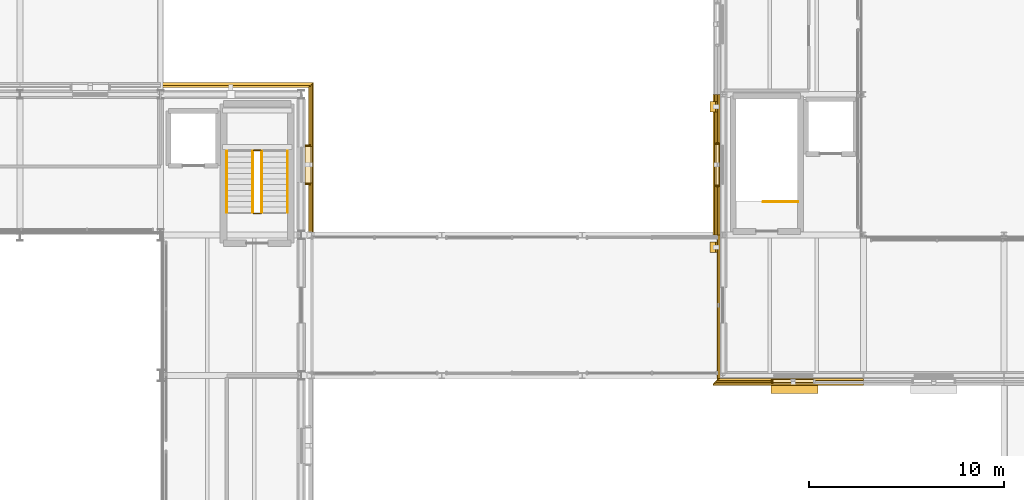
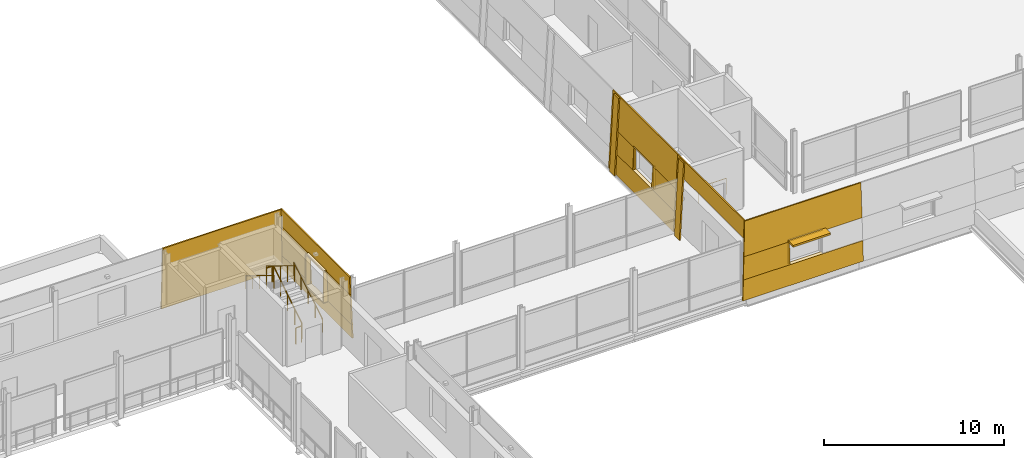
# One storey, part 107 of 115: 26 coverings, 7 railings, 1 shading device.
"""IFC4 building model written with IfcOpenShell, lengths in metres."""

import ifcopenshell
import ifcopenshell.guid

model = None  # the IFC model being written
_history = None  # IfcOwnerHistory: only IFC2X3 demands one
_inside = {}  # id of a spatial element -> (the spatial element, [elements in it])
_under = {}  # id of a project, library or spatial element -> (it, [spatial elements below it])
_declared = {}  # id of a project -> (the project, [libraries it declares])
_typed = {}  # id of a type object -> (the type object, [elements of that type])
_made_of = {}  # id of a material, layer set ... -> (it, [elements and type objects made of it])


def new_model(schema):
    """Start an empty IFC model of exactly this schema.

    Asked for "IFC4X3", IfcOpenShell would pick the latest addendum, in which some entities
    have other attributes; the version numbers below select the first issue.
    IFC2X3 requires an IfcOwnerHistory on every rooted entity: one is made here for all.
    """
    global model, _history
    if schema == "IFC4X3":
        model = ifcopenshell.file(schema_version=(4, 3, 0, 0))
    else:
        model = ifcopenshell.file(schema=schema)
    _inside.clear()
    _under.clear()
    _declared.clear()
    _typed.clear()
    _made_of.clear()
    _history = None
    if model.schema == "IFC2X3":
        org = make("IfcOrganization", Name="unknown")
        user = make(
            "IfcPersonAndOrganization",
            ThePerson=make("IfcPerson", FamilyName="unknown"),
            TheOrganization=org,
        )
        app = make(
            "IfcApplication",
            ApplicationDeveloper=org,
            Version="unknown",
            ApplicationFullName="unknown",
            ApplicationIdentifier="unknown",
        )
        _history = make(
            "IfcOwnerHistory",
            OwningUser=user,
            OwningApplication=app,
            ChangeAction="ADDED",
            CreationDate=0,
        )
    return model


def make(cls, **values):
    """One entity of the class cls with the attributes given. An attribute that is None is left unset."""
    return model.create_entity(
        cls, **{name: value for name, value in values.items() if value is not None}
    )


def rooted(cls, **values):
    """An entity with a GlobalId (a new one), such as an element, a storey or a relation."""
    return make(cls, GlobalId=ifcopenshell.guid.new(), OwnerHistory=_history, **values)


def si_unit(unit_type, name, prefix=None):
    """IfcSIUnit, for example si_unit("LENGTHUNIT", "METRE", prefix="MILLI")."""
    return make("IfcSIUnit", UnitType=unit_type, Prefix=prefix, Name=name)


def assignment(units):
    """IfcUnitAssignment: the units of a project."""
    return None if units is None else make("IfcUnitAssignment", Units=units)


def point(xyz):
    """IfcCartesianPoint."""
    return None if xyz is None else make("IfcCartesianPoint", Coordinates=xyz)


def direction(xyz):
    """IfcDirection."""
    return None if xyz is None else make("IfcDirection", DirectionRatios=xyz)


def frame(location, z_axis=None, x_axis=None):
    """IfcAxis2Placement3D, a coordinate frame: its origin and axes. An axis left out is left unset."""
    return make(
        "IfcAxis2Placement3D",
        Location=point(location),
        Axis=direction(z_axis),
        RefDirection=direction(x_axis),
    )


def frame_2d(location, x_axis=None):
    """IfcAxis2Placement2D, a coordinate frame in the plane: its origin and x axis."""
    return make(
        "IfcAxis2Placement2D", Location=point(location), RefDirection=direction(x_axis)
    )


def origin():
    """The frame at (0, 0, 0) with its axes left unset."""
    return frame((0.0, 0.0, 0.0))


def origin_2d():
    """The frame at (0, 0) in the plane with its x axis left unset."""
    return frame_2d((0.0, 0.0))


def place(relative_to, where):
    """IfcLocalPlacement: puts the frame where relative to a parent placement (None: the world)."""
    return make(
        "IfcLocalPlacement", PlacementRelTo=relative_to, RelativePlacement=where
    )


def context(
    kind, dimensions, precision=None, world=None, true_north=None, identifier=None
):
    """IfcGeometricRepresentationContext, for example the 3D "Model" context."""
    return make(
        "IfcGeometricRepresentationContext",
        ContextIdentifier=identifier,
        ContextType=kind,
        CoordinateSpaceDimension=dimensions,
        Precision=precision,
        WorldCoordinateSystem=world,
        TrueNorth=true_north,
    )


def subcontext(parent, identifier, kind, view, scale=None):
    """IfcGeometricRepresentationSubContext, for example "Body" below "Model"."""
    return make(
        "IfcGeometricRepresentationSubContext",
        ContextIdentifier=identifier,
        ContextType=kind,
        ParentContext=parent,
        TargetScale=scale,
        TargetView=view,
    )


def project(units=None, contexts=None):
    """IfcProject with its units and contexts."""
    return rooted(
        "IfcProject",
        Name="project",
        RepresentationContexts=contexts,
        UnitsInContext=assignment(units),
    )


def spatial(cls, under=None, at=None, **own):
    """A site, building, storey or space (cls), placed at a placement, below another one or the project."""
    s = rooted(cls, ObjectPlacement=at, **own)
    if under is not None:
        _under.setdefault(under.id(), (under, []))[1].append(s)
    return s


def polyline(points):
    """IfcPolyline through the points."""
    return make("IfcPolyline", Points=[point(p) for p in points])


def profile(cls, at=None, kind="AREA", **sizes):
    """A parametric profile (cls). Its sizes go by their IFC names, for example OverallWidth=200.0."""
    return make(cls, ProfileType=kind, Position=at, **sizes)


def rectangle(**sizes):
    """IfcRectangleProfileDef."""
    return profile("IfcRectangleProfileDef", **sizes)


def circle(**sizes):
    """IfcCircleProfileDef."""
    return profile("IfcCircleProfileDef", **sizes)


def outline(outer, holes=None, kind="AREA"):
    """IfcArbitraryClosedProfileDef: a profile drawn as a closed curve; with holes, ...WithVoids."""
    if holes is None:
        return make("IfcArbitraryClosedProfileDef", ProfileType=kind, OuterCurve=outer)
    return make(
        "IfcArbitraryProfileDefWithVoids",
        ProfileType=kind,
        OuterCurve=outer,
        InnerCurves=holes,
    )


def extrude(swept, where, along, depth):
    """IfcExtrudedAreaSolid: the profile swept, set in the frame where, extruded along a direction by depth."""
    return make(
        "IfcExtrudedAreaSolid",
        SweptArea=swept,
        Position=where,
        ExtrudedDirection=direction(along),
        Depth=depth,
    )


def shape(context_of_items, identifier, shape_type, items):
    """IfcShapeRepresentation: the items that make up one representation, for example the "Body"."""
    return make(
        "IfcShapeRepresentation",
        ContextOfItems=context_of_items,
        RepresentationIdentifier=identifier,
        RepresentationType=shape_type,
        Items=items,
    )


def material(Name=None, Category=None):
    """IfcMaterial."""
    return make("IfcMaterial", Name=Name, Category=Category)


def layer(
    of_material, thickness, ventilated=None, Name=None, Category=None, Priority=None
):
    """IfcMaterialLayer: one layer of a wall or slab, of a material (None: an air gap)."""
    return make(
        "IfcMaterialLayer",
        Material=of_material,
        LayerThickness=thickness,
        IsVentilated=ventilated,
        Name=Name,
        Category=Category,
        Priority=Priority,
    )


def layer_set(layers, Name=None):
    """IfcMaterialLayerSet."""
    return make("IfcMaterialLayerSet", MaterialLayers=layers, LayerSetName=Name)


def made_of(thing, what):
    """Note that an element or type object is made of a material, layer set ...; save() writes the relation."""
    if what is not None:
        _made_of.setdefault(what.id(), (what, []))[1].append(thing)
    return thing


def type_object(cls, material=None, **own):
    """A type object (cls), such as IfcWallType, which elements share."""
    return made_of(rooted(cls, **own), material)


def element(
    cls,
    number,
    at=None,
    inside=None,
    cuts=None,
    type_object=None,
    material=None,
    context=None,
    identifier="Body",
    shape_type=None,
    held_by="IfcProductDefinitionShape",
    body=None,
    shapes=None,
    **own,
):
    """One element of the class cls, such as IfcWall. Its Tag is "e" and its number.

    at: its placement. inside: the storey or other place that contains it. cuts: it is an
    opening in that element (IfcRelVoidsElement). A single representation is given by context,
    identifier, shape_type and body (its items); several are given by shapes. held_by: the class
    of the entity that holds the representations. save() writes the other relations.
    """
    e = rooted(cls, Tag="e%d" % number, ObjectPlacement=at, **own)
    if body is not None:
        shapes = [shape(context, identifier, shape_type, body)]
    if shapes is not None:
        e.Representation = make(held_by, Representations=shapes)
    if inside is not None:
        _inside.setdefault(inside.id(), (inside, []))[1].append(e)
    if cuts is not None:
        rooted(
            "IfcRelVoidsElement", RelatingBuildingElement=cuts, RelatedOpeningElement=e
        )
    if type_object is not None:
        _typed.setdefault(type_object.id(), (type_object, []))[1].append(e)
    return made_of(e, material)


def aggregate(whole, parts):
    """IfcRelAggregates: a whole, such as a stair, and the parts it consists of."""
    return rooted("IfcRelAggregates", RelatingObject=whole, RelatedObjects=parts)


def save(model, path):
    """Write the relations noted so far, then the file.

    IfcRelAggregates (storeys below a building ...), IfcRelContainedInSpatialStructure (elements
    in a storey), IfcRelDefinesByType, IfcRelAssociatesMaterial and IfcRelDeclares: one each for
    every whole, place, type object, material and project.
    """
    for whole, parts in _under.values():
        aggregate(whole, parts)
    for where, things in _inside.values():
        rooted(
            "IfcRelContainedInSpatialStructure",
            RelatedElements=things,
            RelatingStructure=where,
        )
    for kind, things in _typed.values():
        rooted("IfcRelDefinesByType", RelatedObjects=things, RelatingType=kind)
    for what, things in _made_of.values():
        rooted("IfcRelAssociatesMaterial", RelatedObjects=things, RelatingMaterial=what)
    for by, libraries in _declared.values():
        rooted("IfcRelDeclares", RelatingContext=by, RelatedDefinitions=libraries)
    model.write(path)


model = new_model("IFC4")

# Units and contexts
model_context = context("Model", 3, precision=1e-05, world=origin(), true_north=direction((0.0, 1.0)))
body_context = subcontext(model_context, "Body", "Model", "MODEL_VIEW")
ifc_project = project(units=[si_unit("LENGTHUNIT", "METRE"), si_unit("AREAUNIT", "SQUARE_METRE"), si_unit("VOLUMEUNIT", "CUBIC_METRE"), si_unit("PLANEANGLEUNIT", "RADIAN"), si_unit("MASSUNIT", "GRAM", prefix="KILO")], contexts=[model_context])

# Site, building, storey
site_placement = place(None, origin())
site = spatial("IfcSite", under=ifc_project, at=site_placement, CompositionType="ELEMENT")
building_placement = place(site_placement, origin())
building = spatial("IfcBuilding", under=site, at=building_placement, Name="Narikvali Park Central Library", CompositionType="ELEMENT")
storey_placement = place(building_placement, frame((0.0, 0.0, 10.199951171875)))
storey = spatial("IfcBuildingStorey", under=building, at=storey_placement, Name="L02", CompositionType="ELEMENT", Elevation=10.199951171875)

# Coverings
ifc_material_1 = material(Name="White Honed Limestone Cladding", Category="masonry")
ifc_layer_1 = layer(ifc_material_1, 0.0849609375, Name="White Honed Limestone Cladding")
ifc_layer_set_1 = layer_set([ifc_layer_1], Name="White Honed Limestone Cladding")
covering_type_1 = type_object("IfcCoveringType", Name="Battered White Limestone Facade Cladding Panel", PredefinedType="CLADDING", material=ifc_layer_set_1)
covering_1_placement = place(storey_placement, frame((101.422607421875, 86.39990234375, 0.0), z_axis=(0.999166130077, 0.0, 0.040829456356), x_axis=(0.0, 1.0, 0.0)))
element("IfcCovering", 1, at=covering_1_placement, inside=storey, type_object=covering_type_1, Name="V1 L02 E Battered Limestone Spandrel B05", PredefinedType="CLADDING", context=body_context, shape_type="SweptSolid", body=[
    extrude(outline(polyline([(0.0, 0.0), (7.73779296875, 0.0), (7.69873046875, 0.950743968674665), (0.0, 0.950743968674665), (0.0, 0.0)])), origin(), (0.0, 0.0, -1.0), 0.0849609375),
])
covering_2_placement = place(storey_placement, frame((101.2998046875, 86.39990234375, 3.0), z_axis=(0.999164837953, 0.0, 0.040861064584), x_axis=(0.0, 1.0, 0.0)))
element("IfcCovering", 2, at=covering_2_placement, inside=storey, type_object=covering_type_1, Name="V1 L02 E Battered Limestone Lintel B05", PredefinedType="CLADDING", context=body_context, shape_type="SweptSolid", body=[
    extrude(outline(polyline([(0.0, 0.0), (7.614990234375, 0.0), (7.56591796875, 1.2009541632126333), (0.0, 1.2009541632126333), (0.0, 0.0)])), origin(), (0.0, 0.0, -1.0), 0.0849609375),
])
covering_3_placement = place(storey_placement, frame((101.3837890625, 86.39990234375, 0.949951171875), z_axis=(0.999161906742, 0.0, 0.040932677852), x_axis=(0.0, 1.0, 0.0)))
element("IfcCovering", 3, at=covering_3_placement, inside=storey, type_object=covering_type_1, Name="V1 L02 E Battered Limestone Jamb Pier L B05", PredefinedType="CLADDING", context=body_context, shape_type="SweptSolid", body=[
    extrude(outline(polyline([(0.0, 0.0), (2.66015625, 0.0), (2.66015625, 2.051768401389598), (0.0, 2.051768401389598), (0.0, 0.0)])), origin(), (0.0, 0.0, -1.0), 0.0849609375),
])
covering_4_placement = place(storey_placement, frame((101.3837890625, 90.93994140625, 0.949951171875), z_axis=(0.999161906742, 0.0, 0.040932677852), x_axis=(0.0, 1.0, 0.0)))
element("IfcCovering", 4, at=covering_4_placement, inside=storey, type_object=covering_type_1, Name="V1 L02 E Battered Limestone Jamb Pier R B05", PredefinedType="CLADDING", context=body_context, shape_type="SweptSolid", body=[
    extrude(outline(polyline([(0.0, 0.0), (3.15869140625, 0.0), (3.074951171875, 2.051768401389598), (0.0, 2.051768401389598), (0.0, 0.0)])), origin(), (0.0, 0.0, -1.0), 0.0849609375),
])
covering_5_placement = place(storey_placement, frame((101.422607421875, 94.22265625, 0.0), z_axis=(0.0, 0.999163700422, 0.040888870842), x_axis=(-1.0, 0.0, 0.0)))
element("IfcCovering", 5, at=covering_5_placement, inside=storey, type_object=covering_type_1, Name="V1 L02 N Battered Limestone Panel B01", PredefinedType="CLADDING", context=body_context, shape_type="SweptSolid", body=[
    extrude(outline(polyline([(0.0, 0.0), (7.822509765625, 0.0), (7.822509765625, 4.203466529158902), (0.171875, 4.203466529158902), (0.0, 0.0)])), origin(), (0.0, 0.0, -1.0), 0.0849609375),
])
covering_6_placement = place(storey_placement, frame((121.8916015625, 78.691650390625, 0.0), z_axis=(0.0, -0.998646611858, 0.052009082137), x_axis=(1.0, 0.0, 0.0)))
element("IfcCovering", 6, at=covering_6_placement, inside=storey, type_object=covering_type_1, Name="V3 L02 S Battered Limestone Spandrel B01", PredefinedType="CLADDING", context=body_context, shape_type="SweptSolid", body=[
    extrude(outline(polyline([(0.0, 0.0), (7.70849609375, 0.0), (7.70849609375, 1.3519273386791146), (0.0703125, 1.3519273386791146), (0.0, 0.0)])), origin(), (0.0, 0.0, -1.0), 0.0849609375),
])
covering_7_placement = place(storey_placement, frame((122.0400390625, 78.840087890625, 2.85009765625), z_axis=(0.0, -0.998644637883, 0.052046971362), x_axis=(1.0, 0.0, 0.0)))
element("IfcCovering", 7, at=covering_7_placement, inside=storey, type_object=covering_type_1, Name="V3 L02 S Battered Limestone Lintel B01", PredefinedType="CLADDING", context=body_context, shape_type="SweptSolid", body=[
    extrude(outline(polyline([(0.0, 0.0), (7.56005859375, 0.0), (7.56005859375, 2.3031704581133985), (0.119873046875, 2.3031704581133985), (0.0, 0.0)])), origin(), (0.0, 0.0, -1.0), 0.0849609375),
])
covering_8_placement = place(storey_placement, frame((121.9619140625, 78.761962890625, 1.35009765625), z_axis=(0.0, -0.998646416446, 0.05201283419), x_axis=(1.0, 0.0, 0.0)))
element("IfcCovering", 8, at=covering_8_placement, inside=storey, type_object=covering_type_1, Name="V3 L02 S Battered Limestone Jamb Pier L B01", PredefinedType="CLADDING", context=body_context, shape_type="SweptSolid", body=[
    extrude(outline(polyline([(0.0, 0.0), (2.998046875, 0.0), (2.998046875, 1.5020331273394074), (0.078125, 1.5020331273394074), (0.0, 0.0)])), origin(), (0.0, 0.0, -1.0), 0.0849609375),
])
covering_9_placement = place(storey_placement, frame((121.751708984375, 93.25, 0.0), z_axis=(-0.998645673528, 0.0, 0.052027096241), x_axis=(0.0, -1.0, 0.0)))
element("IfcCovering", 9, at=covering_9_placement, inside=storey, type_object=covering_type_1, Name="V3 L02 W Classical Limestone Pilaster B04", PredefinedType="CLADDING", context=body_context, shape_type="SweptSolid", body=[
    extrude(outline(polyline([(0.0, 0.0), (0.550048828125, 0.0), (0.550048828125, 5.157130923302659), (0.0, 5.157130923302659), (0.0, 0.0)])), origin(), (0.0, 0.0, -1.0), 0.0849609375),
])
covering_10_placement = place(storey_placement, frame((121.8916015625, 93.60009765625, 0.0), z_axis=(-0.998646611858, 0.0, 0.052009082137), x_axis=(0.0, -1.0, 0.0)))
element("IfcCovering", 10, at=covering_10_placement, inside=storey, type_object=covering_type_1, Name="V3 L02 W Battered Limestone Spandrel B04", PredefinedType="CLADDING", context=body_context, shape_type="SweptSolid", body=[
    extrude(outline(polyline([(0.0, 0.0), (7.2001953125, 0.0), (7.2001953125, 1.3519273386791146), (0.0, 1.3519273386791146), (0.0, 0.0)])), origin(), (0.0, 0.0, -1.0), 0.0849609375),
])
covering_11_placement = place(storey_placement, frame((122.0400390625, 93.60009765625, 2.85009765625), z_axis=(-0.998644637883, 0.0, 0.052046971362), x_axis=(0.0, -1.0, 0.0)))
element("IfcCovering", 11, at=covering_11_placement, inside=storey, type_object=covering_type_1, Name="V3 L02 W Battered Limestone Lintel B04", PredefinedType="CLADDING", context=body_context, shape_type="SweptSolid", body=[
    extrude(outline(polyline([(0.0, 0.0), (7.2001953125, 0.0), (7.2001953125, 2.303170458113399), (0.0, 2.303170458113399), (0.0, 0.0)])), origin(), (0.0, 0.0, -1.0), 0.0849609375),
])
for number, where, z_axis, x_axis, name in (
    (12, (121.9619140625, 93.60009765625, 1.35009765625), (-0.998646416446, 0.0, 0.05201283419), (0.0, -1.0, 0.0), "V3 L02 W Battered Limestone Jamb Pier L B04"),
    (13, (121.9619140625, 88.9599609375, 1.35009765625), (-0.998646416446, 0.0, 0.05201283419), (0.0, -1.0, 0.0), "V3 L02 W Battered Limestone Jamb Pier R B04"),
):
    element("IfcCovering", number, at=place(storey_placement, frame(where, z_axis=z_axis, x_axis=x_axis)), inside=storey, type_object=covering_type_1, Name=name, PredefinedType="CLADDING", context=body_context, shape_type="SweptSolid", body=[
        extrude(outline(polyline([(0.0, 0.0), (2.56005859375, 0.0), (2.56005859375, 1.5020331273394072), (0.0, 1.5020331273394072), (0.0, 0.0)])), origin(), (0.0, 0.0, -1.0), 0.0849609375),
    ])
covering_12_placement = place(storey_placement, frame((121.751708984375, 86.050048828125, 0.0), z_axis=(-0.998645673528, 0.0, 0.052027096241), x_axis=(0.0, -1.0, 0.0)))
element("IfcCovering", 14, at=covering_12_placement, inside=storey, type_object=covering_type_1, Name="V3 L02 W Classical Limestone Pilaster B05", PredefinedType="CLADDING", context=body_context, shape_type="SweptSolid", body=[
    extrude(outline(polyline([(0.0, 0.0), (0.550048828125, 0.0), (0.550048828125, 5.157130923302659), (0.0, 5.157130923302659), (0.0, 0.0)])), origin(), (0.0, 0.0, -1.0), 0.0849609375),
])
covering_13_placement = place(storey_placement, frame((122.10009765625, 86.39990234375, 4.0), z_axis=(-0.99865042786, 0.0, 0.051935757764), x_axis=(0.0, -1.0, 0.0)))
element("IfcCovering", 15, at=covering_13_placement, inside=storey, type_object=covering_type_1, Name="V3 L02 W Bridge Portal Limestone Header B05", PredefinedType="CLADDING", context=body_context, shape_type="SweptSolid", body=[
    extrude(outline(polyline([(0.0, 0.0), (7.414794921875, 0.0), (7.35498046875, 1.1517007876713528), (0.0, 1.1517007876713528), (0.0, 0.0)])), origin(), (0.0, 0.0, -1.0), 0.0849609375),
])

# Shading device
ifc_material_2 = material(Name="Anodised Bronze Aluminium", Category="aluminium")
ifc_layer_2 = layer(ifc_material_2, 0.1201171875, Name="Anodised Bronze Aluminium")
ifc_layer_set_2 = layer_set([ifc_layer_2], Name="Anodised Bronze Aluminium")
shading_device_type = type_object("IfcShadingDeviceType", Name="Bronze Classical Cornice Sun Brise-Soleil 650", PredefinedType="SHUTTER", material=ifc_layer_set_2)
shading_device_placement = place(storey_placement, frame((126.06689453125, 78.60009765625, 2.85009765625), z_axis=(0.0, 0.0, 1.0), x_axis=(1.0, 0.0, 0.0)))
element("IfcShadingDevice", 16, at=shading_device_placement, inside=storey, type_object=shading_device_type, Name="V3 L02 Classical Bronze Brise-Soleil 01", PredefinedType="SHUTTER", context=body_context, shape_type="SweptSolid", body=[
    extrude(rectangle(XDim=2.39990234375, YDim=0.64990234375, at=origin_2d()), origin(), (0.0, 0.0, 1.0), 0.1201171875),
])

# Coverings
ifc_layer_3 = layer(ifc_material_1, 0.080078125, Name="White Honed Limestone Cladding")
ifc_layer_set_3 = layer_set([ifc_layer_3], Name="White Honed Limestone Cladding")
covering_type_2 = type_object("IfcCoveringType", Name="Deep Carved White Limestone Window Reveal", PredefinedType="CLADDING", material=ifc_layer_set_3)
covering_14_placement = place(storey_placement, frame((0.0, 0.0, 3.0)))
element("IfcCovering", 17, at=covering_14_placement, inside=storey, type_object=covering_type_2, Name="Deep Stone Reveal Head V1-RVL-L02-E-B05", PredefinedType="CLADDING", context=body_context, shape_type="SweptSolid", body=[
    extrude(outline(polyline([(101.0048828125, 89.02001953125), (101.0048828125, 90.97998046875), (101.2998046875, 90.97998046875), (101.2998046875, 89.02001953125), (101.0048828125, 89.02001953125)])), origin(), (0.0, 0.0, 1.0), 0.080078125),
])
covering_15_placement = place(storey_placement, frame((0.0, 0.0, 0.8701171875)))
element("IfcCovering", 18, at=covering_15_placement, inside=storey, type_object=covering_type_2, Name="Deep Stone Reveal Sill V1-RVL-L02-E-B05", PredefinedType="CLADDING", context=body_context, shape_type="SweptSolid", body=[
    extrude(outline(polyline([(101.0048828125, 89.02001953125), (101.0048828125, 90.97998046875), (101.3837890625, 90.97998046875), (101.3837890625, 89.02001953125), (101.0048828125, 89.02001953125)])), origin(), (0.0, 0.0, 1.0), 0.079833984375),
])
covering_16_placement = place(storey_placement, frame((0.0, 0.0, 0.949951171875)))
element("IfcCovering", 19, at=covering_16_placement, inside=storey, type_object=covering_type_2, Name="Deep Stone Reveal Jamb L V1-RVL-L02-E-B05", PredefinedType="CLADDING", context=body_context, shape_type="SweptSolid", body=[
    extrude(outline(polyline([(101.0048828125, 88.97998046875), (101.0048828125, 89.06005859375), (101.2998046875, 89.06005859375), (101.2998046875, 88.97998046875), (101.0048828125, 88.97998046875)])), origin(), (0.0, 0.0, 1.0), 2.050048828125),
])
covering_17_placement = place(storey_placement, frame((0.0, 0.0, 0.949951171875)))
element("IfcCovering", 20, at=covering_17_placement, inside=storey, type_object=covering_type_2, Name="Deep Stone Reveal Jamb R V1-RVL-L02-E-B05", PredefinedType="CLADDING", context=body_context, shape_type="SweptSolid", body=[
    extrude(outline(polyline([(101.0048828125, 90.93994140625), (101.0048828125, 91.02001953125), (101.2998046875, 91.02001953125), (101.2998046875, 90.93994140625), (101.0048828125, 90.93994140625)])), origin(), (0.0, 0.0, 1.0), 2.050048828125),
])
covering_18_placement = place(storey_placement, frame((0.0, 0.0, 2.85009765625)))
element("IfcCovering", 21, at=covering_18_placement, inside=storey, type_object=covering_type_2, Name="Deep Stone Reveal Head V3-RVL-L02-S-B01", PredefinedType="CLADDING", context=body_context, shape_type="SweptSolid", body=[
    extrude(outline(polyline([(124.919921875, 78.9951171875), (127.080078125, 78.9951171875), (127.080078125, 78.840087890625), (124.919921875, 78.840087890625), (124.919921875, 78.9951171875)])), origin(), (0.0, 0.0, 1.0), 0.079833984375),
])
covering_19_placement = place(storey_placement, frame((0.0, 0.0, 1.27001953125)))
element("IfcCovering", 22, at=covering_19_placement, inside=storey, type_object=covering_type_2, Name="Deep Stone Reveal Sill V3-RVL-L02-S-B01", PredefinedType="CLADDING", context=body_context, shape_type="SweptSolid", body=[
    extrude(outline(polyline([(124.919921875, 78.9951171875), (127.080078125, 78.9951171875), (127.080078125, 78.761962890625), (124.919921875, 78.761962890625), (124.919921875, 78.9951171875)])), origin(), (0.0, 0.0, 1.0), 0.080078125),
])
covering_20_placement = place(storey_placement, frame((0.0, 0.0, 1.35009765625)))
element("IfcCovering", 23, at=covering_20_placement, inside=storey, type_object=covering_type_2, Name="Deep Stone Reveal Jamb L V3-RVL-L02-S-B01", PredefinedType="CLADDING", context=body_context, shape_type="SweptSolid", body=[
    extrude(outline(polyline([(124.8798828125, 78.9951171875), (124.9599609375, 78.9951171875), (124.9599609375, 78.840087890625), (124.8798828125, 78.840087890625), (124.8798828125, 78.9951171875)])), origin(), (0.0, 0.0, 1.0), 1.5),
])
covering_21_placement = place(storey_placement, frame((0.0, 0.0, 2.85009765625)))
element("IfcCovering", 24, at=covering_21_placement, inside=storey, type_object=covering_type_2, Name="Deep Stone Reveal Head V3-RVL-L02-W-B04", PredefinedType="CLADDING", context=body_context, shape_type="SweptSolid", body=[
    extrude(outline(polyline([(122.195068359375, 91.080078125), (122.195068359375, 88.919921875), (122.0400390625, 88.919921875), (122.0400390625, 91.080078125), (122.195068359375, 91.080078125)])), origin(), (0.0, 0.0, 1.0), 0.079833984375),
])
covering_22_placement = place(storey_placement, frame((0.0, 0.0, 1.27001953125)))
element("IfcCovering", 25, at=covering_22_placement, inside=storey, type_object=covering_type_2, Name="Deep Stone Reveal Sill V3-RVL-L02-W-B04", PredefinedType="CLADDING", context=body_context, shape_type="SweptSolid", body=[
    extrude(outline(polyline([(122.195068359375, 91.080078125), (122.195068359375, 88.919921875), (121.9619140625, 88.919921875), (121.9619140625, 91.080078125), (122.195068359375, 91.080078125)])), origin(), (0.0, 0.0, 1.0), 0.080078125),
])
covering_23_placement = place(storey_placement, frame((0.0, 0.0, 1.35009765625)))
element("IfcCovering", 26, at=covering_23_placement, inside=storey, type_object=covering_type_2, Name="Deep Stone Reveal Jamb L V3-RVL-L02-W-B04", PredefinedType="CLADDING", context=body_context, shape_type="SweptSolid", body=[
    extrude(outline(polyline([(122.195068359375, 91.1201171875), (122.195068359375, 91.0400390625), (122.0400390625, 91.0400390625), (122.0400390625, 91.1201171875), (122.195068359375, 91.1201171875)])), origin(), (0.0, 0.0, 1.0), 1.5),
])
covering_24_placement = place(storey_placement, frame((0.0, 0.0, 1.35009765625)))
element("IfcCovering", 27, at=covering_24_placement, inside=storey, type_object=covering_type_2, Name="Deep Stone Reveal Jamb R V3-RVL-L02-W-B04", PredefinedType="CLADDING", context=body_context, shape_type="SweptSolid", body=[
    extrude(outline(polyline([(122.195068359375, 88.9599609375), (122.195068359375, 88.8798828125), (122.0400390625, 88.8798828125), (122.0400390625, 88.9599609375), (122.195068359375, 88.9599609375)])), origin(), (0.0, 0.0, 1.0), 1.5),
])

# Railings
ifc_material_3 = material(Name="Brushed Stainless Steel S355", Category="steel")
ifc_layer_4 = layer(ifc_material_3, 0.044921875, Name="Brushed Stainless Steel S355")
ifc_layer_set_4 = layer_set([ifc_layer_4], Name="Brushed Stainless Steel S355")
railing_type_1 = type_object("IfcRailingType", Name="Stair Tubular Steel Handrail 900", PredefinedType="HANDRAIL", material=ifc_layer_set_4)
railing_1_placement = place(storey_placement, frame((100.10009765625, 87.550048828125, 0.175048828125)))
element("IfcRailing", 28, at=railing_1_placement, inside=storey, type_object=railing_type_1, Name="L02 ST-02 stair handrail 1", PredefinedType="HANDRAIL", context=body_context, shape_type="SweptSolid", body=[
    extrude(circle(Radius=0.02392578125, at=origin_2d()), frame((0.0, 0.0, 0.8759765625), z_axis=(0.0, 0.852166034122, 0.523271488128), x_axis=(-1.0, 0.0, 0.0)), (0.0, 0.0, 1.0), 3.678955078125),
    extrude(circle(Radius=0.02099609375, at=origin_2d()), origin(), (0.0, 0.0, 1.0), 0.851806640625),
    extrude(circle(Radius=0.02099609375, at=origin_2d()), frame((0.0, 0.78369140625, 0.481201171875)), (0.0, 0.0, 1.0), 0.851806640625),
    extrude(circle(Radius=0.02099609375, at=origin_2d()), frame((0.0, 1.5673828125, 0.96240234375)), (0.0, 0.0, 1.0), 0.851806640625),
    extrude(circle(Radius=0.02099609375, at=origin_2d()), frame((0.0, 2.351318359375, 1.44384765625)), (0.0, 0.0, 1.0), 0.851806640625),
    extrude(circle(Radius=0.02099609375, at=origin_2d()), frame((0.0, 3.135009765625, 1.925048828125)), (0.0, 0.0, 1.0), 0.851806640625),
])
railing_2_placement = place(storey_placement, frame((97.0, 90.68505859375, 2.275146484375)))
element("IfcRailing", 29, at=railing_2_placement, inside=storey, type_object=railing_type_1, Name="L02 ST-02 stair handrail 2", PredefinedType="HANDRAIL", context=body_context, shape_type="SweptSolid", body=[
    extrude(circle(Radius=0.02392578125, at=origin_2d()), frame((0.0, 0.0, 0.8759765625), z_axis=(0.0, -0.852195625947, 0.523223293744), x_axis=(1.0, 0.0, 0.0)), (0.0, 0.0, 1.0), 3.6787109375),
    extrude(circle(Radius=0.02099609375, at=origin_2d()), origin(), (0.0, 0.0, 1.0), 0.851806640625),
    extrude(circle(Radius=0.02099609375, at=origin_2d()), frame((0.0, -0.78369140625, 0.481201171875)), (0.0, 0.0, 1.0), 0.851806640625),
    extrude(circle(Radius=0.02099609375, at=origin_2d()), frame((0.0, -1.5673828125, 0.96240234375)), (0.0, 0.0, 1.0), 0.851806640625),
    extrude(circle(Radius=0.02099609375, at=origin_2d()), frame((0.0, -2.351318359375, 1.443603515625)), (0.0, 0.0, 1.0), 0.851806640625),
    extrude(circle(Radius=0.02099609375, at=origin_2d()), frame((0.0, -3.135009765625, 1.9248046875)), (0.0, 0.0, 1.0), 0.851806640625),
])
ifc_material_4 = material(Name="Powder-Coated Steel S275", Category="steel")
ifc_layer_5 = layer(ifc_material_4, 0.050048828125, Name="Powder-Coated Steel S275")
ifc_layer_set_5 = layer_set([ifc_layer_5], Name="Powder-Coated Steel S275")
railing_type_2 = type_object("IfcRailingType", Name="Stair Well Steel Guardrail 1100", PredefinedType="GUARDRAIL", material=ifc_layer_set_5)
railing_3_placement = place(storey_placement, frame((98.780029296875, 87.550048828125, 0.175048828125)))
element("IfcRailing", 30, at=railing_3_placement, inside=storey, type_object=railing_type_2, Name="L02 ST-02 stair guard 1", PredefinedType="GUARDRAIL", context=body_context, shape_type="SweptSolid", body=[
    extrude(circle(Radius=0.02392578125, at=origin_2d()), frame((0.0, 0.0, 1.076171875), z_axis=(0.0, 0.852166034122, 0.523271488128), x_axis=(-1.0, 0.0, 0.0)), (0.0, 0.0, 1.0), 3.678955078125),
    extrude(circle(Radius=0.02099609375, at=origin_2d()), origin(), (0.0, 0.0, 1.0), 1.052001953125),
    extrude(circle(Radius=0.02099609375, at=origin_2d()), frame((0.0, 0.78369140625, 0.481201171875)), (0.0, 0.0, 1.0), 1.052001953125),
    extrude(circle(Radius=0.02099609375, at=origin_2d()), frame((0.0, 1.5673828125, 0.96240234375)), (0.0, 0.0, 1.0), 1.052001953125),
    extrude(circle(Radius=0.02099609375, at=origin_2d()), frame((0.0, 2.351318359375, 1.44384765625)), (0.0, 0.0, 1.0), 1.052001953125),
    extrude(circle(Radius=0.02099609375, at=origin_2d()), frame((0.0, 3.135009765625, 1.925048828125)), (0.0, 0.0, 1.0), 1.052001953125),
])
railing_4_placement = place(storey_placement, frame((98.72998046875, 90.735107421875, 2.10009765625)))
element("IfcRailing", 31, at=railing_4_placement, inside=storey, type_object=railing_type_2, Name="L02 ST-02 stair guard 2", PredefinedType="GUARDRAIL", context=body_context, shape_type="SweptSolid", body=[
    extrude(circle(Radius=0.02392578125, at=origin_2d()), frame((0.0, 0.0, 1.076171875), z_axis=(-1.0, 0.0, 0.0), x_axis=(0.0, -1.0, 0.0)), (0.0, 0.0, 1.0), 0.35986328125),
    extrude(circle(Radius=0.02099609375, at=origin_2d()), origin(), (0.0, 0.0, 1.0), 1.052001953125),
    extrude(circle(Radius=0.02099609375, at=origin_2d()), frame((-0.35986328125, 0.0, 0.0)), (0.0, 0.0, 1.0), 1.052001953125),
])
railing_5_placement = place(storey_placement, frame((98.320068359375, 90.68505859375, 2.275146484375)))
element("IfcRailing", 32, at=railing_5_placement, inside=storey, type_object=railing_type_2, Name="L02 ST-02 stair guard 3", PredefinedType="GUARDRAIL", context=body_context, shape_type="SweptSolid", body=[
    extrude(circle(Radius=0.02392578125, at=origin_2d()), frame((0.0, 0.0, 1.076171875), z_axis=(0.0, -0.852195625947, 0.523223293744), x_axis=(1.0, 0.0, 0.0)), (0.0, 0.0, 1.0), 3.6787109375),
    extrude(circle(Radius=0.02099609375, at=origin_2d()), origin(), (0.0, 0.0, 1.0), 1.052001953125),
    extrude(circle(Radius=0.02099609375, at=origin_2d()), frame((0.0, -0.78369140625, 0.481201171875)), (0.0, 0.0, 1.0), 1.052001953125),
    extrude(circle(Radius=0.02099609375, at=origin_2d()), frame((0.0, -1.5673828125, 0.96240234375)), (0.0, 0.0, 1.0), 1.052001953125),
    extrude(circle(Radius=0.02099609375, at=origin_2d()), frame((0.0, -2.351318359375, 1.443603515625)), (0.0, 0.0, 1.0), 1.052001953125),
    extrude(circle(Radius=0.02099609375, at=origin_2d()), frame((0.0, -3.135009765625, 1.9248046875)), (0.0, 0.0, 1.0), 1.052001953125),
])
railing_6_placement = place(storey_placement, frame((98.72998046875, 87.5, 0.0)))
element("IfcRailing", 33, at=railing_6_placement, inside=storey, type_object=railing_type_2, Name="L02 ST-02 stair guard 4", PredefinedType="GUARDRAIL", context=body_context, shape_type="SweptSolid", body=[
    extrude(circle(Radius=0.02392578125, at=origin_2d()), frame((0.0, 0.0, 1.076171875), z_axis=(-1.0, 0.0, 0.0), x_axis=(0.0, -1.0, 0.0)), (0.0, 0.0, 1.0), 0.35986328125),
    extrude(circle(Radius=0.02099609375, at=origin_2d()), origin(), (0.0, 0.0, 1.0), 1.052001953125),
    extrude(circle(Radius=0.02099609375, at=origin_2d()), frame((-0.35986328125, 0.0, 0.0)), (0.0, 0.0, 1.0), 1.052001953125),
])
railing_7_placement = place(storey_placement, frame((126.25, 88.10009765625, 0.0)))
element("IfcRailing", 34, at=railing_7_placement, inside=storey, type_object=railing_type_2, Name="L02 ST-05 top well guard 1", PredefinedType="GUARDRAIL", context=body_context, shape_type="SweptSolid", body=[
    extrude(circle(Radius=0.02392578125, at=origin_2d()), frame((0.0, 0.0, 1.076171875), z_axis=(-1.0, 0.0, 0.0), x_axis=(0.0, -1.0, 0.0)), (0.0, 0.0, 1.0), 1.780029296875),
    extrude(circle(Radius=0.02099609375, at=origin_2d()), origin(), (0.0, 0.0, 1.0), 1.052001953125),
    extrude(circle(Radius=0.02099609375, at=origin_2d()), frame((-0.89013671875, 0.0, 0.0)), (0.0, 0.0, 1.0), 1.052001953125),
    extrude(circle(Radius=0.02099609375, at=origin_2d()), frame((-1.780029296875, 0.0, 0.0)), (0.0, 0.0, 1.0), 1.052001953125),
])

save(model, "model.ifc")
